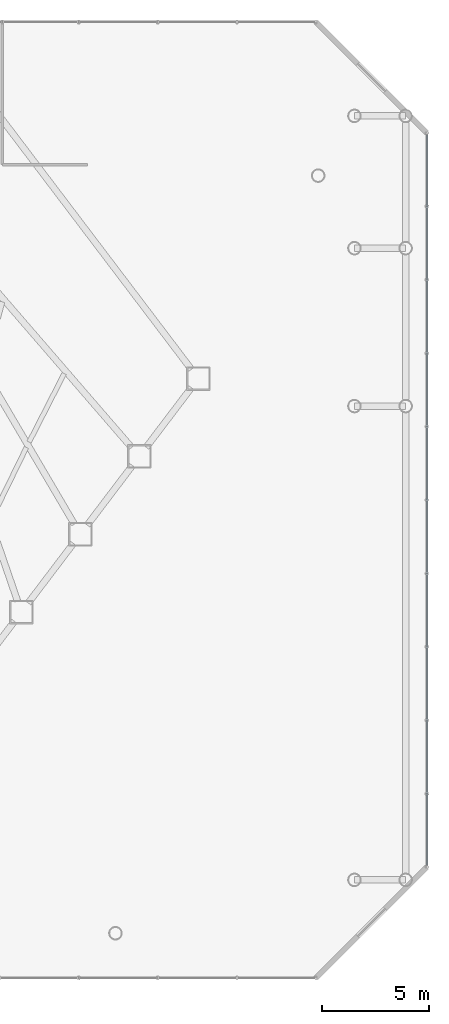
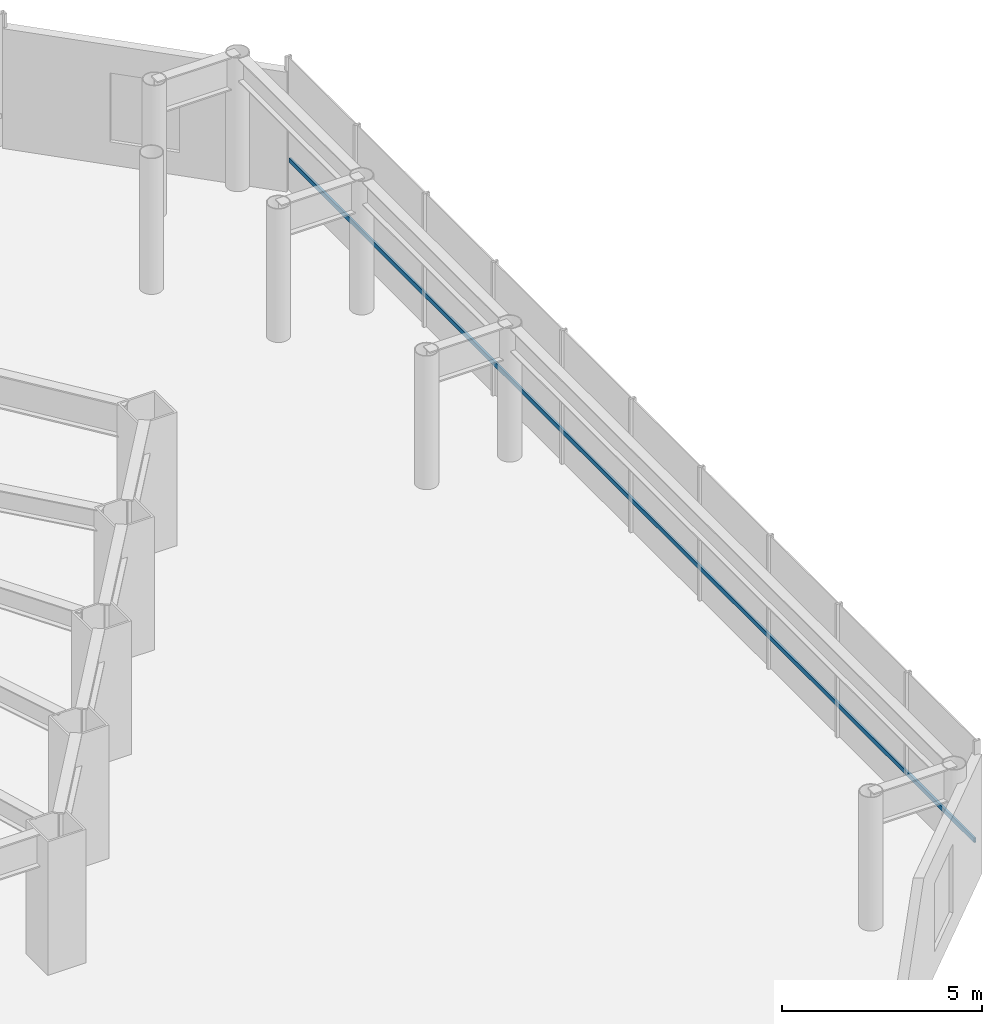
# One storey, part 26 of 33: 1 member, 1 element without a shape of its own.
"""IFC4 building model written with IfcOpenShell, lengths in metres."""

from ifc_helpers import new_model, si_unit, direction, frame, origin, origin_2d, place, context, subcontext, project, spatial, hollow_rectangle, extrude, material, layer, layer_set, material_profile, profile_set, type_object, element, aggregate, save


model = new_model("IFC4")

# Units and contexts
model_context = context("Model", 3, precision=1e-05, world=origin(), true_north=direction((0.0, 1.0)))
body_context = subcontext(model_context, "Body", "Model", "MODEL_VIEW")
ifc_project = project(units=[si_unit("LENGTHUNIT", "METRE"), si_unit("AREAUNIT", "SQUARE_METRE"), si_unit("VOLUMEUNIT", "CUBIC_METRE"), si_unit("PLANEANGLEUNIT", "RADIAN"), si_unit("MASSUNIT", "GRAM", prefix="KILO")], contexts=[model_context])

# Site, building, storey
site_placement = place(None, origin())
site = spatial("IfcSite", under=ifc_project, at=site_placement, CompositionType="ELEMENT")
building_placement = place(site_placement, origin())
building = spatial("IfcBuilding", under=site, at=building_placement, Name="Zarrinselat Tower", CompositionType="ELEMENT")
storey_placement = place(building_placement, frame((0.0, 0.0, 18.360107421875)))
storey = spatial("IfcBuildingStorey", under=building, at=storey_placement, Name="L04", CompositionType="ELEMENT", Elevation=18.360107421875)

# Curtain wall, member
ifc_material_1 = material(Name="Extruded Aluminium Alloy EN AW-6063 T6", Category="aluminium")
ifc_layer = layer(ifc_material_1, 0.2099609375)
ifc_layer_set = layer_set([ifc_layer], Name="Extruded Aluminium Alloy EN AW-6063 T6")
curtain_wall_type = type_object("IfcCurtainWallType", Name="CWS-POD", PredefinedType="NOTDEFINED", material=ifc_layer_set)
curtain_wall_placement = place(storey_placement, origin())
curtain_wall = element("IfcCurtainWall", 1, at=curtain_wall_placement, inside=storey, type_object=curtain_wall_type, Name="L04 Unitised Curtain Wall CW-L04-F3", PredefinedType="NOTDEFINED")
ifc_material_2 = material(Name="Extruded Aluminium Alloy EN AW-6063 T6", Category="aluminium")
ifc_material_profile = material_profile(ifc_material_2, hollow_rectangle(XDim=0.06005859375, YDim=0.139892578125, WallThickness=0.00390625, at=origin_2d()), Name="RHS 140x60x4")
ifc_profile_set = profile_set([ifc_material_profile], Name="Extruded Aluminium Alloy EN AW-6063 T6")
member_type = type_object("IfcMemberType", Name="MEM-CW-TRN", PredefinedType="USERDEFINED", material=ifc_profile_set)
member_placement = place(storey_placement, frame((71.39990234375, 11.68994140625, 0.949951171875), z_axis=(0.0, 1.0, 0.0), x_axis=(-1.0, 0.0, 0.0)))
member = element("IfcMember", 2, at=member_placement, type_object=member_type, Name="CW-L04-F3 Transom 1", ObjectType="TRANSOM", PredefinedType="USERDEFINED", context=body_context, shape_type="SweptSolid", body=[
    extrude(hollow_rectangle(XDim=0.06005859375, YDim=0.139892578125, WallThickness=0.00390625, at=origin_2d()), origin(), (0.0, 0.0, 1.0), 34.219970703125),
])
aggregate(curtain_wall, [member])

save(model, "model.ifc")
